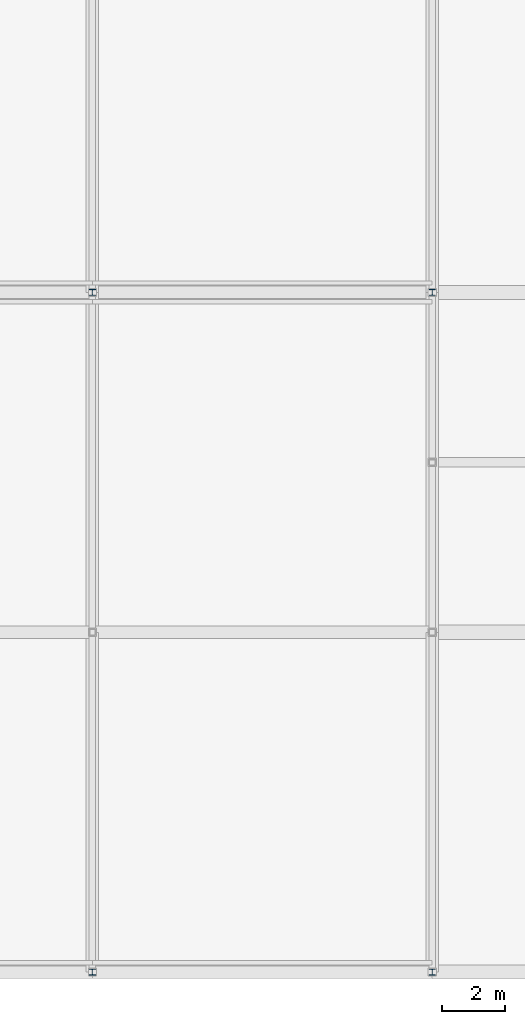
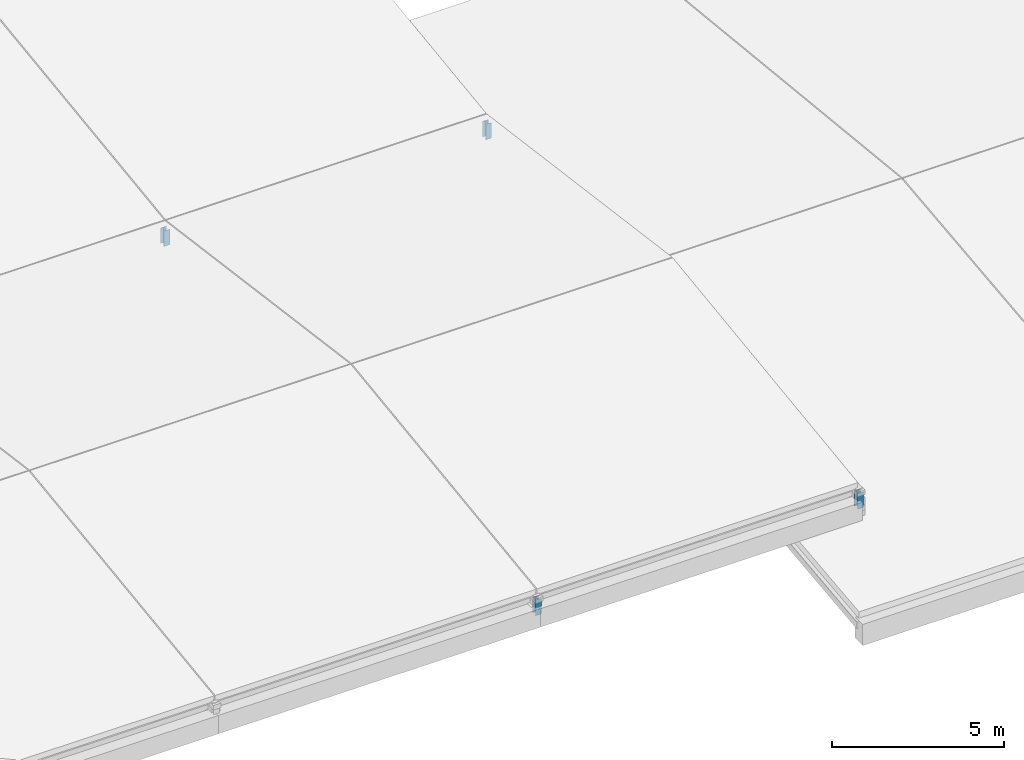
# One storey, part 85 of 112: 4 members.
"""IFC4 building model written with IfcOpenShell, lengths in metres."""

from ifc_helpers import new_model, si_unit, direction, frame, origin, origin_2d, place, context, subcontext, project, spatial, i_section, extrude, material, material_profile, profile_set, type_object, element, save


model = new_model("IFC4")

# Units and contexts
model_context = context("Model", 3, precision=1e-05, world=origin(), true_north=direction((0.0, 1.0)))
body_context = subcontext(model_context, "Body", "Model", "MODEL_VIEW")
ifc_project = project(units=[si_unit("LENGTHUNIT", "METRE"), si_unit("AREAUNIT", "SQUARE_METRE"), si_unit("VOLUMEUNIT", "CUBIC_METRE"), si_unit("PLANEANGLEUNIT", "RADIAN"), si_unit("MASSUNIT", "GRAM", prefix="KILO")], contexts=[model_context])

# Site, building, storey
site_placement = place(None, origin())
site = spatial("IfcSite", under=ifc_project, at=site_placement, CompositionType="ELEMENT")
building_placement = place(site_placement, origin())
building = spatial("IfcBuilding", under=site, at=building_placement, Name="Zwinboog Wholesale Market", CompositionType="ELEMENT")
storey_placement = place(building_placement, frame((0.0, 0.0, 19.080078125)))
storey = spatial("IfcBuildingStorey", under=building, at=storey_placement, Name="Roof", CompositionType="ELEMENT", Elevation=19.080078125)

# Members
ifc_material = material(Name="Steel S355", Category="steel")
ifc_material_profile = material_profile(ifc_material, i_section(OverallWidth=0.199951171875, OverallDepth=0.18994140625, WebThickness=0.006591796875, FlangeThickness=0.010009765625, FilletRadius=0.01806640625, at=origin_2d()), Name="HEA 200")
ifc_profile_set = profile_set([ifc_material_profile], Name="Steel S355")
member_type = type_object("IfcMemberType", Name="MT-05", PredefinedType="BRACE", material=ifc_profile_set)
for number, where, z_axis, x_axis, name in (
    (1, (162.0, 0.0, -0.280029296875), (0.0, 0.0, 1.0), (1.0, 0.0, 0.0), "DB-02 (MEM-Roof-0917)"),
    (2, (162.0, 21.60009765625, -0.280029296875), (0.0, 0.0, 1.0), (1.0, 0.0, 0.0), "DB-02 (MEM-Roof-0918)"),
    (3, (172.800048828125, 0.0, -0.280029296875), (0.0, 0.0, 1.0), (1.0, 0.0, 0.0), "DB-02 (MEM-Roof-0922)"),
    (4, (172.800048828125, 21.60009765625, -0.280029296875), (0.0, 0.0, 1.0), (1.0, 0.0, 0.0), "DB-02 (MEM-Roof-0923)"),
):
    element("IfcMember", number, at=place(storey_placement, frame(where, z_axis=z_axis, x_axis=x_axis)), inside=storey, type_object=member_type, Name=name, PredefinedType="BRACE", context=body_context, shape_type="SweptSolid", body=[
        extrude(i_section(OverallWidth=0.199951171875, OverallDepth=0.18994140625, WebThickness=0.006591796875, FlangeThickness=0.010009765625, FilletRadius=0.01806640625, at=origin_2d()), origin(), (0.0, 0.0, 1.0), 0.550048828125),
    ])

save(model, "model.ifc")
